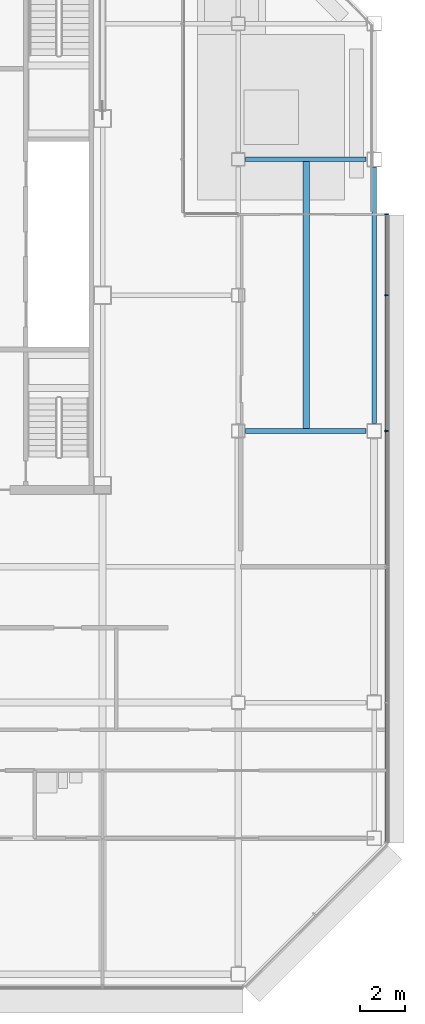
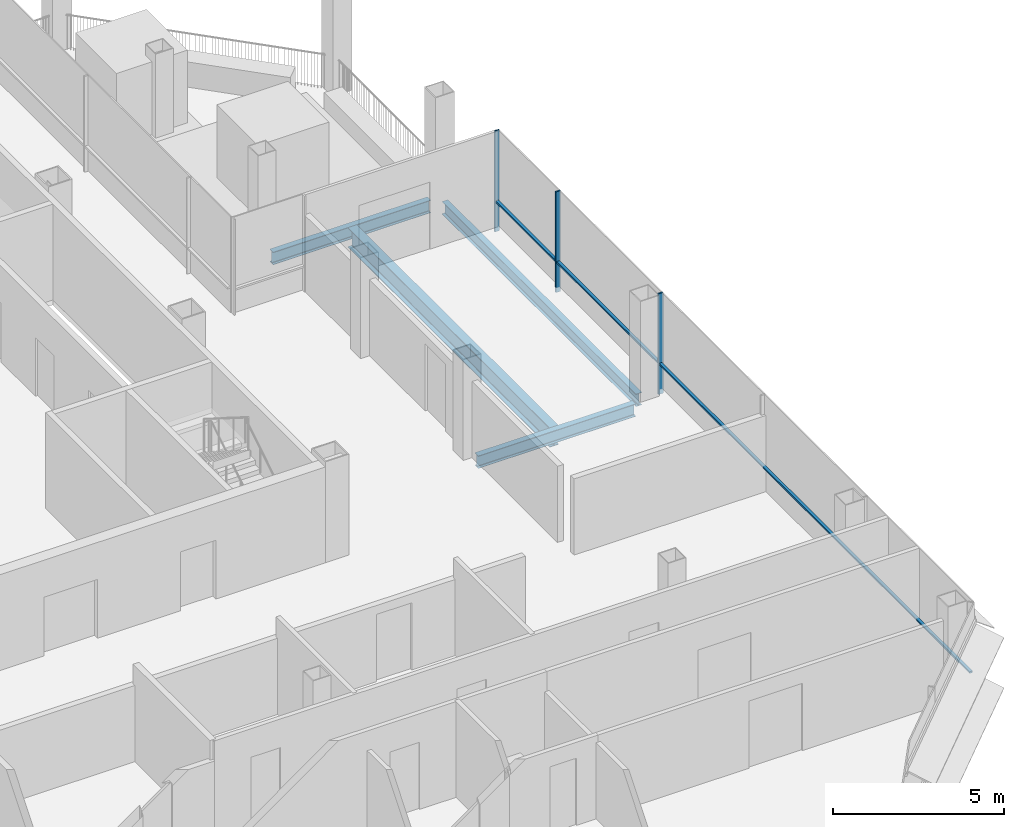
# One storey, part 18 of 29: 4 beams, 4 members, 1 element without a shape of its own.
"""IFC4 building model written with IfcOpenShell, lengths in metres."""

from ifc_helpers import new_model, si_unit, direction, frame, origin, origin_2d, place, context, subcontext, project, spatial, rectangle, i_section, extrude, material, material_profile, profile_set, type_object, element, aggregate, save


model = new_model("IFC4")

# Units and contexts
model_context = context("Model", 3, precision=1e-05, world=origin(), true_north=direction((0.0, 1.0)))
body_context = subcontext(model_context, "Body", "Model", "MODEL_VIEW")
ifc_project = project(units=[si_unit("LENGTHUNIT", "METRE"), si_unit("AREAUNIT", "SQUARE_METRE"), si_unit("VOLUMEUNIT", "CUBIC_METRE"), si_unit("PLANEANGLEUNIT", "RADIAN"), si_unit("MASSUNIT", "GRAM", prefix="KILO")], contexts=[model_context])

# Site, building, storey
site_placement = place(None, origin())
site = spatial("IfcSite", under=ifc_project, at=site_placement, CompositionType="ELEMENT")
building_placement = place(site_placement, origin())
building = spatial("IfcBuilding", under=site, at=building_placement, Name="Sorahane Residences", CompositionType="ELEMENT")
storey_placement = place(building_placement, frame((0.0, 0.0, 199.199951171875)))
storey = spatial("IfcBuildingStorey", under=building, at=storey_placement, Name="L46", CompositionType="ELEMENT", Elevation=199.199951171875)

# Curtain wall, members
ifc_material_1 = material(Name="Dark low-e glass and black anodised aluminium", Category="aluminium")
curtain_wall_type = type_object("IfcCurtainWallType", Name="Curtain wall CW-1 Typical unitised wall", PredefinedType="NOTDEFINED", material=ifc_material_1)
curtain_wall_placement = place(storey_placement, origin())
curtain_wall = element("IfcCurtainWall", 1, at=curtain_wall_placement, inside=storey, type_object=curtain_wall_type, Name="CW-1 curtain wall L46 E1", PredefinedType="NOTDEFINED")
ifc_material_2 = material(Name="Black anodised aluminium", Category="aluminium")
ifc_material_profile_1 = material_profile(ifc_material_2, rectangle(XDim=0.159912109375, YDim=0.050048828125, at=origin_2d()), Name="Curtain wall mullion CW-1 black anodised aluminium 50x160")
ifc_profile_set_1 = profile_set([ifc_material_profile_1], Name="Black anodised aluminium")
member_type_1 = type_object("IfcMemberType", Name="Curtain wall mullion CW-1 black anodised aluminium 50x160", PredefinedType="MULLION", material=ifc_profile_set_1)
member_1_placement = place(storey_placement, frame((54.5400390625, 24.0, -0.179931640625), z_axis=(0.0, 0.0, 1.0), x_axis=(1.0, 0.0, 0.0)))
member_1 = element("IfcMember", 2, at=member_1_placement, type_object=member_type_1, Name="CW-1 mullion L46 E1.4", PredefinedType="MULLION", context=body_context, shape_type="SweptSolid", body=[
    extrude(rectangle(XDim=0.159912109375, YDim=0.050048828125, at=origin_2d()), origin(), (0.0, 0.0, 1.0), 3.60009765625),
])
member_2_placement = place(storey_placement, frame((54.5400390625, 30.0, -0.179931640625), z_axis=(0.0, 0.0, 1.0), x_axis=(1.0, 0.0, 0.0)))
member_2 = element("IfcMember", 3, at=member_2_placement, type_object=member_type_1, Name="CW-1 mullion L46 E1.5", PredefinedType="MULLION", context=body_context, shape_type="SweptSolid", body=[
    extrude(rectangle(XDim=0.159912109375, YDim=0.050048828125, at=origin_2d()), origin(), (0.0, 0.0, 1.0), 3.60009765625),
])
member_3_placement = place(storey_placement, frame((54.5400390625, 33.574951171875, -0.179931640625), z_axis=(0.0, 0.0, 1.0), x_axis=(1.0, 0.0, 0.0)))
member_3 = element("IfcMember", 4, at=member_3_placement, type_object=member_type_1, Name="CW-1 mullion L46 E1.6", PredefinedType="MULLION", context=body_context, shape_type="SweptSolid", body=[
    extrude(rectangle(XDim=0.159912109375, YDim=0.050048828125, at=origin_2d()), origin(), (0.0, 0.0, 1.0), 3.60009765625),
])
ifc_material_3 = material(Name="Black anodised aluminium", Category="aluminium")
ifc_material_profile_2 = material_profile(ifc_material_3, rectangle(XDim=0.10009765625, YDim=0.06005859375, at=origin_2d()), Name="Curtain wall transom CW-1 black anodised aluminium 60x100")
ifc_profile_set_2 = profile_set([ifc_material_profile_2], Name="Black anodised aluminium")
member_type_2 = type_object("IfcMemberType", Name="Curtain wall transom CW-1 black anodised aluminium 60x100", PredefinedType="USERDEFINED", material=ifc_profile_set_2)
member_4_placement = place(storey_placement, frame((54.530029296875, 5.801513671875, 0.900146484375), z_axis=(0.0, 1.0, 0.0), x_axis=(-1.0, 0.0, 0.0)))
member_4 = element("IfcMember", 5, at=member_4_placement, type_object=member_type_2, Name="CW-1 transom L46 E1", ObjectType="TRANSOM", PredefinedType="USERDEFINED", context=body_context, shape_type="SweptSolid", body=[
    extrude(rectangle(XDim=0.10009765625, YDim=0.06005859375, at=origin_2d()), origin(), (0.0, 0.0, 1.0), 27.74853515625),
])
aggregate(curtain_wall, [member_1, member_2, member_3, member_4])

# Beams
ifc_material_4 = material(Name="Steel Q355B", Category="steel")
ifc_material_profile_3 = material_profile(ifc_material_4, i_section(OverallWidth=0.199951171875, OverallDepth=0.449951171875, WebThickness=0.009033203125, FlangeThickness=0.013916015625, FilletRadius=0.02001953125, at=origin_2d()), Name="HN 450x200x9x14")
ifc_profile_set_3 = profile_set([ifc_material_profile_3], Name="Steel Q355B")
beam_type_1 = type_object("IfcBeamType", Name="Steel floor beam HN 450x200x9x14 Q355B", PredefinedType="BEAM", material=ifc_profile_set_3)
for number, where, z_axis, x_axis, name in (
    (6, (48.324951171875, 24.0, -0.405029296875), (1.0, 0.0, 0.0), (0.0, 1.0, 0.0), "Beam L46 012"),
    (7, (48.324951171875, 36.0, -0.405029296875), (1.0, 0.0, 0.0), (0.0, 1.0, 0.0), "Beam L46 014"),
):
    element("IfcBeam", number, at=place(storey_placement, frame(where, z_axis=z_axis, x_axis=x_axis)), inside=storey, type_object=beam_type_1, Name=name, PredefinedType="BEAM", context=body_context, shape_type="SweptSolid", body=[
        extrude(i_section(OverallWidth=0.199951171875, OverallDepth=0.449951171875, WebThickness=0.009033203125, FlangeThickness=0.013916015625, FilletRadius=0.02001953125, at=origin_2d()), origin(), (0.0, 0.0, 1.0), 5.324951171875),
    ])
beam_1_placement = place(storey_placement, frame((54.0, 24.324951171875, -0.405029296875), z_axis=(0.0, 1.0, 0.0), x_axis=(-1.0, 0.0, 0.0)))
element("IfcBeam", 8, at=beam_1_placement, inside=storey, type_object=beam_type_1, Name="Terrace edge beam", PredefinedType="BEAM", context=body_context, shape_type="SweptSolid", body=[
    extrude(i_section(OverallWidth=0.199951171875, OverallDepth=0.449951171875, WebThickness=0.009033203125, FlangeThickness=0.013916015625, FilletRadius=0.02001953125, at=origin_2d()), origin(), (0.0, 0.0, 1.0), 11.35009765625),
])
ifc_material_5 = material(Name="Steel Q355B", Category="steel")
ifc_material_profile_4 = material_profile(ifc_material_5, i_section(OverallWidth=0.300048828125, OverallDepth=0.699951171875, WebThickness=0.012939453125, FlangeThickness=0.02392578125, FilletRadius=0.028076171875, at=origin_2d()), Name="HN 700x300x13x24")
ifc_profile_set_4 = profile_set([ifc_material_profile_4], Name="Steel Q355B")
beam_type_2 = type_object("IfcBeamType", Name="Steel floor beam HN 700x300x13x24 Q355B", PredefinedType="BEAM", material=ifc_profile_set_4)
beam_2_placement = place(storey_placement, frame((51.0, 24.10009765625, -0.530029296875), z_axis=(0.0, 1.0, 0.0), x_axis=(-1.0, 0.0, 0.0)))
element("IfcBeam", 9, at=beam_2_placement, inside=storey, type_object=beam_type_2, Name="Beam L46 089", PredefinedType="BEAM", context=body_context, shape_type="SweptSolid", body=[
    extrude(i_section(OverallWidth=0.300048828125, OverallDepth=0.699951171875, WebThickness=0.012939453125, FlangeThickness=0.02392578125, FilletRadius=0.028076171875, at=origin_2d()), origin(), (0.0, 0.0, 1.0), 11.7998046875),
])

save(model, "model.ifc")
